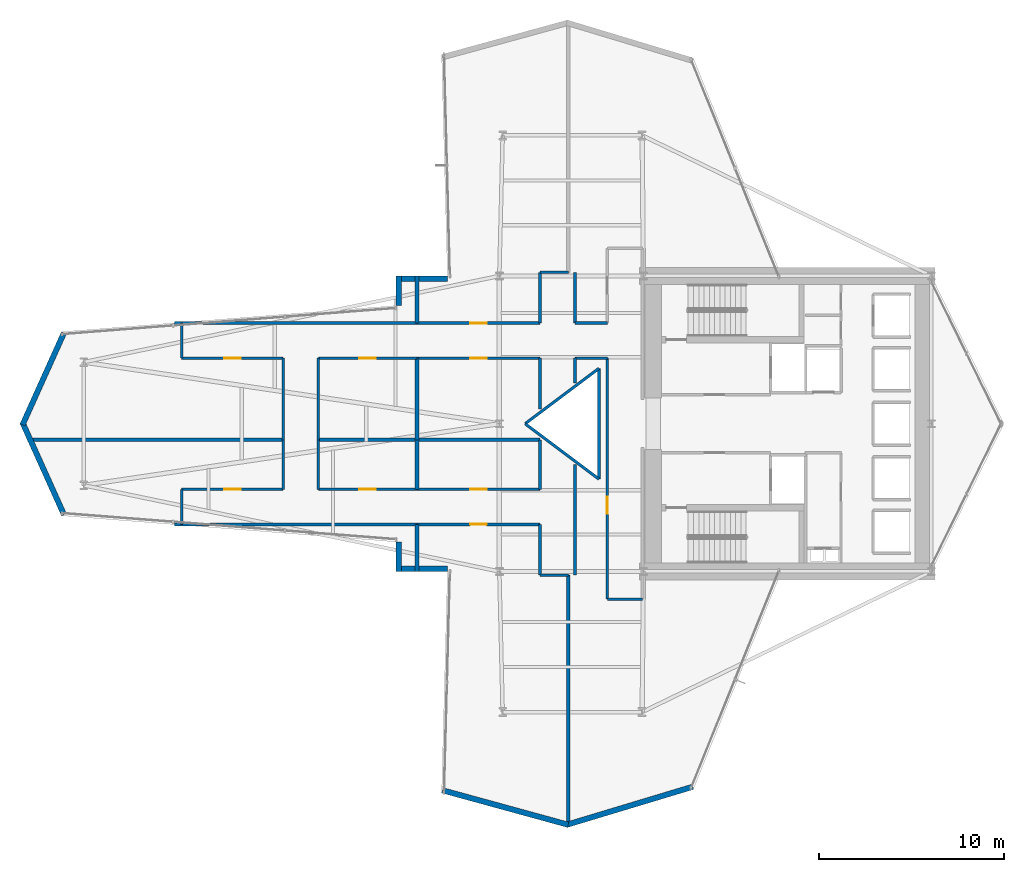
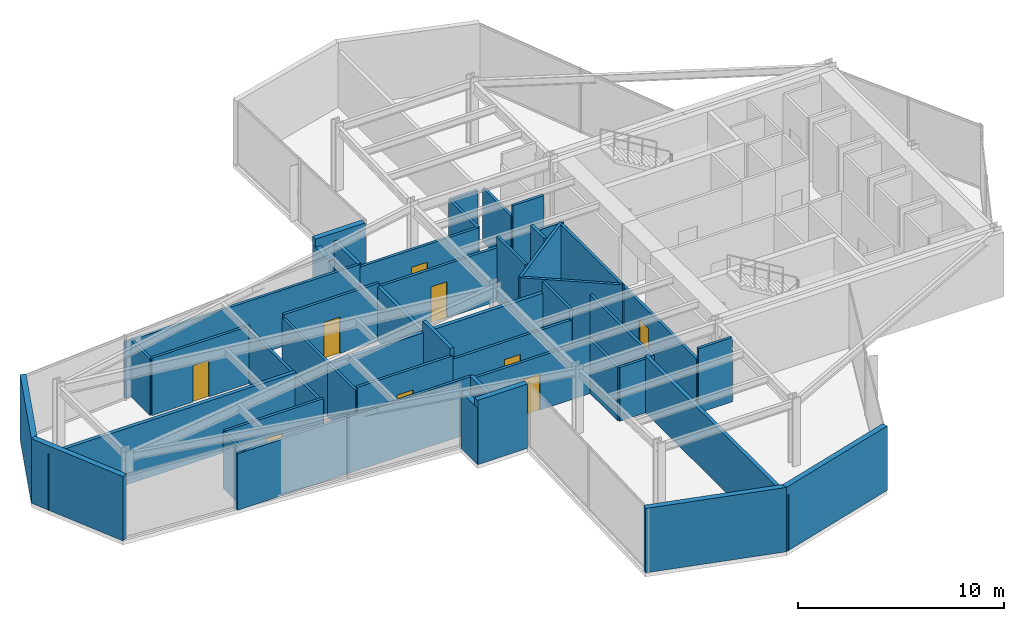
# One storey, part 26 of 29: 48 walls, 9 doors, 9 openings.
"""IFC4 building model written with IfcOpenShell, lengths in metres."""

import ifcopenshell
import ifcopenshell.guid

model = None  # the IFC model being written
_history = None  # IfcOwnerHistory: only IFC2X3 demands one
_inside = {}  # id of a spatial element -> (the spatial element, [elements in it])
_under = {}  # id of a project, library or spatial element -> (it, [spatial elements below it])
_declared = {}  # id of a project -> (the project, [libraries it declares])
_typed = {}  # id of a type object -> (the type object, [elements of that type])
_made_of = {}  # id of a material, layer set ... -> (it, [elements and type objects made of it])


def new_model(schema):
    """Start an empty IFC model of exactly this schema.

    Asked for "IFC4X3", IfcOpenShell would pick the latest addendum, in which some entities
    have other attributes; the version numbers below select the first issue.
    IFC2X3 requires an IfcOwnerHistory on every rooted entity: one is made here for all.
    """
    global model, _history
    if schema == "IFC4X3":
        model = ifcopenshell.file(schema_version=(4, 3, 0, 0))
    else:
        model = ifcopenshell.file(schema=schema)
    _inside.clear()
    _under.clear()
    _declared.clear()
    _typed.clear()
    _made_of.clear()
    _history = None
    if model.schema == "IFC2X3":
        org = make("IfcOrganization", Name="unknown")
        user = make(
            "IfcPersonAndOrganization",
            ThePerson=make("IfcPerson", FamilyName="unknown"),
            TheOrganization=org,
        )
        app = make(
            "IfcApplication",
            ApplicationDeveloper=org,
            Version="unknown",
            ApplicationFullName="unknown",
            ApplicationIdentifier="unknown",
        )
        _history = make(
            "IfcOwnerHistory",
            OwningUser=user,
            OwningApplication=app,
            ChangeAction="ADDED",
            CreationDate=0,
        )
    return model


def make(cls, **values):
    """One entity of the class cls with the attributes given. An attribute that is None is left unset."""
    return model.create_entity(
        cls, **{name: value for name, value in values.items() if value is not None}
    )


def rooted(cls, **values):
    """An entity with a GlobalId (a new one), such as an element, a storey or a relation."""
    return make(cls, GlobalId=ifcopenshell.guid.new(), OwnerHistory=_history, **values)


def si_unit(unit_type, name, prefix=None):
    """IfcSIUnit, for example si_unit("LENGTHUNIT", "METRE", prefix="MILLI")."""
    return make("IfcSIUnit", UnitType=unit_type, Prefix=prefix, Name=name)


def assignment(units):
    """IfcUnitAssignment: the units of a project."""
    return None if units is None else make("IfcUnitAssignment", Units=units)


def point(xyz):
    """IfcCartesianPoint."""
    return None if xyz is None else make("IfcCartesianPoint", Coordinates=xyz)


def direction(xyz):
    """IfcDirection."""
    return None if xyz is None else make("IfcDirection", DirectionRatios=xyz)


def frame(location, z_axis=None, x_axis=None):
    """IfcAxis2Placement3D, a coordinate frame: its origin and axes. An axis left out is left unset."""
    return make(
        "IfcAxis2Placement3D",
        Location=point(location),
        Axis=direction(z_axis),
        RefDirection=direction(x_axis),
    )


def frame_2d(location, x_axis=None):
    """IfcAxis2Placement2D, a coordinate frame in the plane: its origin and x axis."""
    return make(
        "IfcAxis2Placement2D", Location=point(location), RefDirection=direction(x_axis)
    )


def origin():
    """The frame at (0, 0, 0) with its axes left unset."""
    return frame((0.0, 0.0, 0.0))


def place(relative_to, where):
    """IfcLocalPlacement: puts the frame where relative to a parent placement (None: the world)."""
    return make(
        "IfcLocalPlacement", PlacementRelTo=relative_to, RelativePlacement=where
    )


def context(
    kind, dimensions, precision=None, world=None, true_north=None, identifier=None
):
    """IfcGeometricRepresentationContext, for example the 3D "Model" context."""
    return make(
        "IfcGeometricRepresentationContext",
        ContextIdentifier=identifier,
        ContextType=kind,
        CoordinateSpaceDimension=dimensions,
        Precision=precision,
        WorldCoordinateSystem=world,
        TrueNorth=true_north,
    )


def subcontext(parent, identifier, kind, view, scale=None):
    """IfcGeometricRepresentationSubContext, for example "Body" below "Model"."""
    return make(
        "IfcGeometricRepresentationSubContext",
        ContextIdentifier=identifier,
        ContextType=kind,
        ParentContext=parent,
        TargetScale=scale,
        TargetView=view,
    )


def project(units=None, contexts=None):
    """IfcProject with its units and contexts."""
    return rooted(
        "IfcProject",
        Name="project",
        RepresentationContexts=contexts,
        UnitsInContext=assignment(units),
    )


def spatial(cls, under=None, at=None, **own):
    """A site, building, storey or space (cls), placed at a placement, below another one or the project."""
    s = rooted(cls, ObjectPlacement=at, **own)
    if under is not None:
        _under.setdefault(under.id(), (under, []))[1].append(s)
    return s


def profile(cls, at=None, kind="AREA", **sizes):
    """A parametric profile (cls). Its sizes go by their IFC names, for example OverallWidth=200.0."""
    return make(cls, ProfileType=kind, Position=at, **sizes)


def rectangle(**sizes):
    """IfcRectangleProfileDef."""
    return profile("IfcRectangleProfileDef", **sizes)


def extrude(swept, where, along, depth):
    """IfcExtrudedAreaSolid: the profile swept, set in the frame where, extruded along a direction by depth."""
    return make(
        "IfcExtrudedAreaSolid",
        SweptArea=swept,
        Position=where,
        ExtrudedDirection=direction(along),
        Depth=depth,
    )


def shape(context_of_items, identifier, shape_type, items):
    """IfcShapeRepresentation: the items that make up one representation, for example the "Body"."""
    return make(
        "IfcShapeRepresentation",
        ContextOfItems=context_of_items,
        RepresentationIdentifier=identifier,
        RepresentationType=shape_type,
        Items=items,
    )


def material(Name=None, Category=None):
    """IfcMaterial."""
    return make("IfcMaterial", Name=Name, Category=Category)


def layer(
    of_material, thickness, ventilated=None, Name=None, Category=None, Priority=None
):
    """IfcMaterialLayer: one layer of a wall or slab, of a material (None: an air gap)."""
    return make(
        "IfcMaterialLayer",
        Material=of_material,
        LayerThickness=thickness,
        IsVentilated=ventilated,
        Name=Name,
        Category=Category,
        Priority=Priority,
    )


def layer_set(layers, Name=None):
    """IfcMaterialLayerSet."""
    return make("IfcMaterialLayerSet", MaterialLayers=layers, LayerSetName=Name)


def made_of(thing, what):
    """Note that an element or type object is made of a material, layer set ...; save() writes the relation."""
    if what is not None:
        _made_of.setdefault(what.id(), (what, []))[1].append(thing)
    return thing


def type_object(cls, material=None, **own):
    """A type object (cls), such as IfcWallType, which elements share."""
    return made_of(rooted(cls, **own), material)


def element(
    cls,
    number,
    at=None,
    inside=None,
    cuts=None,
    type_object=None,
    material=None,
    context=None,
    identifier="Body",
    shape_type=None,
    held_by="IfcProductDefinitionShape",
    body=None,
    shapes=None,
    **own,
):
    """One element of the class cls, such as IfcWall. Its Tag is "e" and its number.

    at: its placement. inside: the storey or other place that contains it. cuts: it is an
    opening in that element (IfcRelVoidsElement). A single representation is given by context,
    identifier, shape_type and body (its items); several are given by shapes. held_by: the class
    of the entity that holds the representations. save() writes the other relations.
    """
    e = rooted(cls, Tag="e%d" % number, ObjectPlacement=at, **own)
    if body is not None:
        shapes = [shape(context, identifier, shape_type, body)]
    if shapes is not None:
        e.Representation = make(held_by, Representations=shapes)
    if inside is not None:
        _inside.setdefault(inside.id(), (inside, []))[1].append(e)
    if cuts is not None:
        rooted(
            "IfcRelVoidsElement", RelatingBuildingElement=cuts, RelatedOpeningElement=e
        )
    if type_object is not None:
        _typed.setdefault(type_object.id(), (type_object, []))[1].append(e)
    return made_of(e, material)


def fill(opening, filler):
    """IfcRelFillsElement: the door or window that sits in an opening."""
    return rooted(
        "IfcRelFillsElement",
        RelatingOpeningElement=opening,
        RelatedBuildingElement=filler,
    )


def aggregate(whole, parts):
    """IfcRelAggregates: a whole, such as a stair, and the parts it consists of."""
    return rooted("IfcRelAggregates", RelatingObject=whole, RelatedObjects=parts)


def save(model, path):
    """Write the relations noted so far, then the file.

    IfcRelAggregates (storeys below a building ...), IfcRelContainedInSpatialStructure (elements
    in a storey), IfcRelDefinesByType, IfcRelAssociatesMaterial and IfcRelDeclares: one each for
    every whole, place, type object, material and project.
    """
    for whole, parts in _under.values():
        aggregate(whole, parts)
    for where, things in _inside.values():
        rooted(
            "IfcRelContainedInSpatialStructure",
            RelatedElements=things,
            RelatingStructure=where,
        )
    for kind, things in _typed.values():
        rooted("IfcRelDefinesByType", RelatedObjects=things, RelatingType=kind)
    for what, things in _made_of.values():
        rooted("IfcRelAssociatesMaterial", RelatedObjects=things, RelatingMaterial=what)
    for by, libraries in _declared.values():
        rooted("IfcRelDeclares", RelatingContext=by, RelatedDefinitions=libraries)
    model.write(path)


model = new_model("IFC4")

# Units and contexts
model_context = context("Model", 3, precision=1e-05, world=origin(), true_north=direction((0.0, 1.0)))
body_context = subcontext(model_context, "Body", "Model", "MODEL_VIEW")
ifc_project = project(units=[si_unit("LENGTHUNIT", "METRE"), si_unit("AREAUNIT", "SQUARE_METRE"), si_unit("VOLUMEUNIT", "CUBIC_METRE"), si_unit("PLANEANGLEUNIT", "RADIAN"), si_unit("MASSUNIT", "GRAM", prefix="KILO")], contexts=[model_context])

# Site, building, storey
site_placement = place(None, origin())
site = spatial("IfcSite", under=ifc_project, at=site_placement, CompositionType="ELEMENT")
building_placement = place(site_placement, origin())
building = spatial("IfcBuilding", under=site, at=building_placement, Name="Veymaron Broadcast Tower", CompositionType="ELEMENT")
storey_placement = place(building_placement, frame((0.0, 0.0, 62.10009765625)))
storey = spatial("IfcBuildingStorey", under=building, at=storey_placement, Name="L13", CompositionType="ELEMENT", Elevation=62.10009765625)

# Walls
ifc_material_1 = material(Name="Concrete C40/50", Category="concrete")
ifc_layer_1 = layer(ifc_material_1, 0.199951171875)
ifc_layer_set_1 = layer_set([ifc_layer_1], Name="Concrete C40/50")
wall_type_1 = type_object("IfcWallType", Name="WALL-BLK-200", PredefinedType="SOLIDWALL", material=ifc_layer_set_1)
wall_1_placement = place(storey_placement, frame((34.94091796875, 2.1640625, 0.0), z_axis=(0.0, 0.0, 1.0), x_axis=(0.0, 1.0, 0.0)))
element("IfcWall", 1, at=wall_1_placement, inside=storey, type_object=wall_type_1, Name="L13 partition IW-L13-P34", PredefinedType="SOLIDWALL", context=body_context, shape_type="SweptSolid", body=[
    extrude(rectangle(XDim=13.635986328125, YDim=0.199951171875, at=frame_2d((6.81787109375, 0.0))), origin(), (0.0, 0.0, 1.0), 3.337890625),
])
wall_2_placement = place(storey_placement, frame((26.738037109375, 16.0, 0.0), z_axis=(0.0, 0.0, 1.0), x_axis=(0.0, 1.0, 0.0)))
element("IfcWall", 2, at=wall_2_placement, inside=storey, type_object=wall_type_1, Name="L13 partition IW-L13-P35", PredefinedType="SOLIDWALL", context=body_context, shape_type="SweptSolid", body=[
    extrude(rectangle(XDim=2.550048828125, YDim=0.199951171875, at=frame_2d((1.27490234375, 0.0))), origin(), (0.0, 0.0, 1.0), 3.337890625),
])
wall_3_placement = place(storey_placement, frame((5.649658203125, 23.1259765625, 0.0), z_axis=(0.0, 0.0, 1.0), x_axis=(1.0, 0.0, 0.0)))
element("IfcWall", 3, at=wall_3_placement, inside=storey, type_object=wall_type_1, Name="L13 partition IW-L13-P36", PredefinedType="SOLIDWALL", context=body_context, shape_type="SweptSolid", body=[
    extrude(rectangle(XDim=13.850341796875, YDim=0.199951171875, at=frame_2d((6.92529296875, 0.0))), origin(), (0.0, 0.0, 1.0), 3.337890625),
])
wall_4_placement = place(storey_placement, frame((26.738037109375, 20.449951171875, 0.0), z_axis=(0.0, 0.0, 1.0), x_axis=(0.0, 1.0, 0.0)))
element("IfcWall", 4, at=wall_4_placement, inside=storey, type_object=wall_type_1, Name="L13 partition IW-L13-P37", PredefinedType="SOLIDWALL", context=body_context, shape_type="SweptSolid", body=[
    extrude(rectangle(XDim=2.676025390625, YDim=0.199951171875, at=frame_2d((1.337890625, 0.0))), origin(), (0.0, 0.0, 1.0), 3.809814453125),
])
wall_5_placement = place(storey_placement, frame((21.39990234375, 23.1259765625, 0.0), z_axis=(0.0, 0.0, 1.0), x_axis=(1.0, 0.0, 0.0)))
element("IfcWall", 5, at=wall_5_placement, inside=storey, type_object=wall_type_1, Name="L13 partition IW-L13-P38", PredefinedType="SOLIDWALL", context=body_context, shape_type="SweptSolid", body=[
    extrude(rectangle(XDim=5.338134765625, YDim=0.199951171875, at=frame_2d((2.6689453125, 0.0))), origin(), (0.0, 0.0, 1.0), 3.180908203125),
])
wall_6_placement = place(storey_placement, frame((26.738037109375, 23.1259765625, 0.0), z_axis=(0.0, 0.0, 1.0), x_axis=(1.0, 0.0, 0.0)))
element("IfcWall", 6, at=wall_6_placement, inside=storey, type_object=wall_type_1, Name="L13 partition IW-L13-P39", PredefinedType="SOLIDWALL", context=body_context, shape_type="SweptSolid", body=[
    extrude(rectangle(XDim=6.661865234375, YDim=0.199951171875, at=frame_2d((3.3310546875, 0.0))), origin(), (0.0, 0.0, 1.0), 3.180908203125),
])
wall_7_placement = place(storey_placement, frame((26.738037109375, 23.1259765625, 0.0), z_axis=(0.0, 0.0, 1.0), x_axis=(0.0, 1.0, 0.0)))
element("IfcWall", 7, at=wall_7_placement, inside=storey, type_object=wall_type_1, Name="L13 partition IW-L13-P40", PredefinedType="SOLIDWALL", context=body_context, shape_type="SweptSolid", body=[
    extrude(rectangle(XDim=4.424072265625, YDim=0.199951171875, at=frame_2d((2.2119140625, 0.0))), origin(), (0.0, 0.0, 1.0), 3.180908203125),
])
wall_8_placement = place(storey_placement, frame((26.738037109375, 29.449951171875, 0.0), z_axis=(0.0, 0.0, 1.0), x_axis=(0.0, 1.0, 0.0)))
element("IfcWall", 8, at=wall_8_placement, inside=storey, type_object=wall_type_1, Name="L13 partition IW-L13-P41", PredefinedType="SOLIDWALL", context=body_context, shape_type="SweptSolid", body=[
    extrude(rectangle(XDim=2.550048828125, YDim=0.199951171875, at=frame_2d((1.27490234375, 0.0))), origin(), (0.0, 0.0, 1.0), 3.337890625),
])
ifc_material_2 = material(Name="Precast concrete C40/50 with mineral-wool insulation", Category="concrete")
ifc_layer_2 = layer(ifc_material_2, 0.300048828125)
ifc_layer_set_2 = layer_set([ifc_layer_2], Name="Precast concrete C40/50 with mineral-wool insulation")
wall_type_2 = type_object("IfcWallType", Name="WALL-EXT-300", PredefinedType="STANDARD", material=ifc_layer_set_2)
wall_9_placement = place(storey_placement, frame((28.386962890625, 31.860107421875, 0.0), z_axis=(0.0, 0.0, 1.0), x_axis=(-1.0, 0.0, 0.0)))
element("IfcWall", 9, at=wall_9_placement, inside=storey, type_object=wall_type_2, Name="L13 notched corner facade pier 9-1", PredefinedType="STANDARD", context=body_context, shape_type="SweptSolid", body=[
    extrude(rectangle(XDim=2.779052734375, YDim=0.300048828125, at=frame_2d((1.3896484375, 0.0))), origin(), (0.0, 0.0, 1.0), 3.809814453125),
])
wall_10_placement = place(storey_placement, frame((25.748046875, 32.0, 0.0), z_axis=(0.0, 0.0, 1.0), x_axis=(0.0, -1.0, 0.0)))
element("IfcWall", 10, at=wall_10_placement, inside=storey, type_object=wall_type_2, Name="L13 notched corner facade pier 10-1", PredefinedType="STANDARD", context=body_context, shape_type="SweptSolid", body=[
    extrude(rectangle(XDim=1.599609375, YDim=0.300048828125, at=frame_2d((0.7998046875, 0.0))), origin(), (0.0, 0.0, 1.0), 3.337890625),
])
for number, where, z_axis, x_axis, name in (
    (11, (7.627685546875, 28.92578125, 0.0), (0.0, 0.0, 1.0), (-0.410572698698, -0.911827867025, 0.0), "L13 notched corner facade pier 12-1"),
    (12, (5.3837890625, 24.0576171875, 0.0), (0.0, 0.0, 1.0), (0.410572698698, -0.911827867025, 0.0), "L13 notched corner facade pier 13-1"),
):
    element("IfcWall", number, at=place(storey_placement, frame(where, z_axis=z_axis, x_axis=x_axis)), inside=storey, type_object=wall_type_2, Name=name, PredefinedType="STANDARD", context=body_context, shape_type="SweptSolid", body=[
        extrude(rectangle(XDim=5.46533203125, YDim=0.300048828125, at=frame_2d((2.732666015625, 0.0))), origin(), (0.0, 0.0, 1.0), 3.809814453125),
    ])
wall_11_placement = place(storey_placement, frame((25.748046875, 17.599609375, 0.0), z_axis=(0.0, 0.0, 1.0), x_axis=(0.0, -1.0, 0.0)))
element("IfcWall", 13, at=wall_11_placement, inside=storey, type_object=wall_type_2, Name="L13 notched corner facade pier 15-1", PredefinedType="STANDARD", context=body_context, shape_type="SweptSolid", body=[
    extrude(rectangle(XDim=1.599609375, YDim=0.300048828125, at=frame_2d((0.7998046875, 0.0))), origin(), (0.0, 0.0, 1.0), 3.337890625),
])
wall_12_placement = place(storey_placement, frame((25.60791015625, 16.139892578125, 0.0), z_axis=(0.0, 0.0, 1.0), x_axis=(1.0, 0.0, 0.0)))
element("IfcWall", 14, at=wall_12_placement, inside=storey, type_object=wall_type_2, Name="L13 notched corner facade pier 16-1", PredefinedType="STANDARD", context=body_context, shape_type="SweptSolid", body=[
    extrude(rectangle(XDim=2.779052734375, YDim=0.300048828125, at=frame_2d((1.3896484375, 0.0))), origin(), (0.0, 0.0, 1.0), 3.809814453125),
])
wall_13_placement = place(storey_placement, frame((28.10888671875, 4.154052734375, 0.0), z_axis=(0.0, 0.0, 1.0), x_axis=(0.96439075506, -0.264481514581, 0.0)))
element("IfcWall", 15, at=wall_13_placement, inside=storey, type_object=wall_type_2, Name="L13 notched corner facade pier 18-1", PredefinedType="STANDARD", context=body_context, shape_type="SweptSolid", body=[
    extrude(rectangle(XDim=7.07080078125, YDim=0.300048828125, at=frame_2d((3.535400390625, 0.0))), origin(), (0.0, 0.0, 1.0), 3.809814453125),
])
wall_14_placement = place(storey_placement, frame((34.8505859375, 2.282958984375, 0.0), z_axis=(0.0, 0.0, 1.0), x_axis=(0.957387451844, 0.288806625707, 0.0)))
element("IfcWall", 16, at=wall_14_placement, inside=storey, type_object=wall_type_2, Name="L13 notched corner facade pier 19-1", PredefinedType="STANDARD", context=body_context, shape_type="SweptSolid", body=[
    extrude(rectangle(XDim=7.122802734375, YDim=0.300048828125, at=frame_2d((3.5615234375, 0.0))), origin(), (0.0, 0.0, 1.0), 3.809814453125),
])

# Wall, opening, door
ifc_material_3 = material(Name="Gypsum fireboard and steel stud framing", Category="steel")
ifc_layer_3 = layer(ifc_material_3, 0.14990234375)
ifc_layer_set_3 = layer_set([ifc_layer_3], Name="Gypsum fireboard and steel stud framing")
wall_type_3 = type_object("IfcWallType", Name="WALL-FIRE-150", PredefinedType="PARTITIONING", material=ifc_layer_set_3)
wall_15_placement = place(storey_placement, frame((26.738037109375, 18.550048828125, 0.0), z_axis=(0.0, 0.0, 1.0), x_axis=(1.0, 0.0, 0.0)))
wall_15 = element("IfcWall", 17, at=wall_15_placement, inside=storey, type_object=wall_type_3, Name="L13 partition IW-L13-P01", PredefinedType="PARTITIONING", context=body_context, shape_type="SweptSolid", body=[
    extrude(rectangle(XDim=6.661865234375, YDim=0.14990234375, at=frame_2d((3.3310546875, 0.0))), origin(), (0.0, 0.0, 1.0), 3.180908203125),
])
opening_1_placement = place(wall_15_placement, frame((2.881103515625, 0.0, 0.0)))
opening_1 = element("IfcOpeningElement", 18, at=opening_1_placement, cuts=wall_15, Name="Opening ID-RM2", PredefinedType="OPENING", context=body_context, shape_type="SweptSolid", body=[
    extrude(rectangle(XDim=0.89990234375, YDim=2.14990234375, at=frame_2d((0.449951171875, 1.074951171875))), frame((0.0, 0.0849609375, 0.0), z_axis=(0.0, -1.0, 0.0), x_axis=(1.0, 0.0, 0.0)), (0.0, 0.0, 1.0), 0.169921875),
])
ifc_material_4 = material(Name="Acoustic solid-core European oak veneer timber", Category="wood")
door_type = type_object("IfcDoorType", Name="DOOR-INT-900", OperationType="NOTDEFINED", PredefinedType="DOOR", material=ifc_material_4)
door_1_placement = place(opening_1_placement, frame((0.89990234375, 0.0, 0.0), z_axis=(0.0, 0.0, 1.0), x_axis=(-1.0, 0.0, 0.0)))
door_1 = element("IfcDoor", 19, at=door_1_placement, inside=storey, type_object=door_type, Name="L13 door DR-L13-P01", OperationType="SINGLE_SWING_RIGHT", OverallHeight=2.14990234375, OverallWidth=0.89990234375, PredefinedType="DOOR", context=body_context, shape_type="SweptSolid", body=[
    extrude(rectangle(XDim=0.89990234375, YDim=2.14990234375, at=frame_2d((0.449951171875, 1.074951171875))), frame((0.0, 0.02490234375, 0.0), z_axis=(0.0, -1.0, 0.0), x_axis=(1.0, 0.0, 0.0)), (0.0, 0.0, 1.0), 0.050048828125),
])
fill(opening_1, door_1)

wall_16_placement = place(storey_placement, frame((37.050048828125, 14.5, 0.0), z_axis=(0.0, 0.0, 1.0), x_axis=(0.0, 1.0, 0.0)))
wall_16 = element("IfcWall", 20, at=wall_16_placement, inside=storey, type_object=wall_type_3, Name="L13 partition IW-L13-P04", PredefinedType="PARTITIONING", context=body_context, shape_type="SweptSolid", body=[
    extrude(rectangle(XDim=13.050048828125, YDim=0.14990234375, at=frame_2d((6.52490234375, 0.0))), origin(), (0.0, 0.0, 1.0), 3.180908203125),
])
opening_2_placement = place(wall_16_placement, frame((4.635009765625, 0.0, 0.0)))
opening_2 = element("IfcOpeningElement", 21, at=opening_2_placement, cuts=wall_16, Name="Opening ID-RM2", PredefinedType="OPENING", context=body_context, shape_type="SweptSolid", body=[
    extrude(rectangle(XDim=0.89990234375, YDim=2.14990234375, at=frame_2d((0.449951171875, 1.074951171875))), frame((0.0, 0.0849609375, 0.0), z_axis=(0.0, -1.0, 0.0), x_axis=(1.0, 0.0, 0.0)), (0.0, 0.0, 1.0), 0.169921875),
])
door_2_placement = place(opening_2_placement, frame((0.89990234375, 0.0, 0.0), z_axis=(0.0, 0.0, 1.0), x_axis=(-1.0, 0.0, 0.0)))
door_2 = element("IfcDoor", 22, at=door_2_placement, inside=storey, type_object=door_type, Name="L13 door DR-L13-P04", OperationType="SINGLE_SWING_LEFT", OverallHeight=2.14990234375, OverallWidth=0.89990234375, PredefinedType="DOOR", context=body_context, shape_type="SweptSolid", body=[
    extrude(rectangle(XDim=0.89990234375, YDim=2.14990234375, at=frame_2d((0.449951171875, 1.074951171875))), frame((0.0, 0.02490234375, 0.0), z_axis=(0.0, -1.0, 0.0), x_axis=(1.0, 0.0, 0.0)), (0.0, 0.0, 1.0), 0.050048828125),
])
fill(opening_2, door_2)

wall_17_placement = place(storey_placement, frame((14.0, 20.449951171875, 0.0), z_axis=(0.0, 0.0, 1.0), x_axis=(1.0, 0.0, 0.0)))
wall_17 = element("IfcWall", 23, at=wall_17_placement, inside=storey, type_object=wall_type_3, Name="L13 partition IW-L13-P11", PredefinedType="PARTITIONING", context=body_context, shape_type="SweptSolid", body=[
    extrude(rectangle(XDim=5.5, YDim=0.14990234375, at=frame_2d((2.75, 0.0))), origin(), (0.0, 0.0, 1.0), 3.390869140625),
])
opening_3_placement = place(wall_17_placement, frame((2.300048828125, 0.0, 0.0)))
opening_3 = element("IfcOpeningElement", 24, at=opening_3_placement, cuts=wall_17, Name="Opening ID-RM2", PredefinedType="OPENING", context=body_context, shape_type="SweptSolid", body=[
    extrude(rectangle(XDim=0.89990234375, YDim=2.14990234375, at=frame_2d((0.449951171875, 1.074951171875))), frame((0.0, 0.0849609375, 0.0), z_axis=(0.0, -1.0, 0.0), x_axis=(1.0, 0.0, 0.0)), (0.0, 0.0, 1.0), 0.169921875),
])
door_3_placement = place(opening_3_placement, origin())
door_3 = element("IfcDoor", 25, at=door_3_placement, inside=storey, type_object=door_type, Name="L13 door DR-L13-P11", OperationType="SINGLE_SWING_RIGHT", OverallHeight=2.14990234375, OverallWidth=0.89990234375, PredefinedType="DOOR", context=body_context, shape_type="SweptSolid", body=[
    extrude(rectangle(XDim=0.89990234375, YDim=2.14990234375, at=frame_2d((0.449951171875, 1.074951171875))), frame((0.0, 0.02490234375, 0.0), z_axis=(0.0, -1.0, 0.0), x_axis=(1.0, 0.0, 0.0)), (0.0, 0.0, 1.0), 0.050048828125),
])
fill(opening_3, door_3)

wall_18_placement = place(storey_placement, frame((21.39990234375, 20.449951171875, 0.0), z_axis=(0.0, 0.0, 1.0), x_axis=(1.0, 0.0, 0.0)))
wall_18 = element("IfcWall", 26, at=wall_18_placement, inside=storey, type_object=wall_type_3, Name="L13 partition IW-L13-P14", PredefinedType="PARTITIONING", context=body_context, shape_type="SweptSolid", body=[
    extrude(rectangle(XDim=5.338134765625, YDim=0.14990234375, at=frame_2d((2.6689453125, 0.0))), origin(), (0.0, 0.0, 1.0), 3.390869140625),
])
opening_4_placement = place(wall_18_placement, frame((2.218994140625, 0.0, 0.0)))
opening_4 = element("IfcOpeningElement", 27, at=opening_4_placement, cuts=wall_18, Name="Opening ID-RM2", PredefinedType="OPENING", context=body_context, shape_type="SweptSolid", body=[
    extrude(rectangle(XDim=0.89990234375, YDim=2.14990234375, at=frame_2d((0.449951171875, 1.074951171875))), frame((0.0, 0.0849609375, 0.0), z_axis=(0.0, -1.0, 0.0), x_axis=(1.0, 0.0, 0.0)), (0.0, 0.0, 1.0), 0.169921875),
])
door_4_placement = place(opening_4_placement, origin())
door_4 = element("IfcDoor", 28, at=door_4_placement, inside=storey, type_object=door_type, Name="L13 door DR-L13-P14", OperationType="SINGLE_SWING_LEFT", OverallHeight=2.14990234375, OverallWidth=0.89990234375, PredefinedType="DOOR", context=body_context, shape_type="SweptSolid", body=[
    extrude(rectangle(XDim=0.89990234375, YDim=2.14990234375, at=frame_2d((0.449951171875, 1.074951171875))), frame((0.0, 0.02490234375, 0.0), z_axis=(0.0, -1.0, 0.0), x_axis=(1.0, 0.0, 0.0)), (0.0, 0.0, 1.0), 0.050048828125),
])
fill(opening_4, door_4)

wall_19_placement = place(storey_placement, frame((26.738037109375, 20.449951171875, 0.0), z_axis=(0.0, 0.0, 1.0), x_axis=(1.0, 0.0, 0.0)))
wall_19 = element("IfcWall", 29, at=wall_19_placement, inside=storey, type_object=wall_type_3, Name="L13 partition IW-L13-P16", PredefinedType="PARTITIONING", context=body_context, shape_type="SweptSolid", body=[
    extrude(rectangle(XDim=6.661865234375, YDim=0.14990234375, at=frame_2d((3.3310546875, 0.0))), origin(), (0.0, 0.0, 1.0), 3.180908203125),
])
opening_5_placement = place(wall_19_placement, frame((2.881103515625, 0.0, 0.0)))
opening_5 = element("IfcOpeningElement", 30, at=opening_5_placement, cuts=wall_19, Name="Opening ID-RM2", PredefinedType="OPENING", context=body_context, shape_type="SweptSolid", body=[
    extrude(rectangle(XDim=0.89990234375, YDim=2.14990234375, at=frame_2d((0.449951171875, 1.074951171875))), frame((0.0, 0.0849609375, 0.0), z_axis=(0.0, -1.0, 0.0), x_axis=(1.0, 0.0, 0.0)), (0.0, 0.0, 1.0), 0.169921875),
])
door_5_placement = place(opening_5_placement, origin())
door_5 = element("IfcDoor", 31, at=door_5_placement, inside=storey, type_object=door_type, Name="L13 door DR-L13-P16", OperationType="SINGLE_SWING_LEFT", OverallHeight=2.14990234375, OverallWidth=0.89990234375, PredefinedType="DOOR", context=body_context, shape_type="SweptSolid", body=[
    extrude(rectangle(XDim=0.89990234375, YDim=2.14990234375, at=frame_2d((0.449951171875, 1.074951171875))), frame((0.0, 0.02490234375, 0.0), z_axis=(0.0, -1.0, 0.0), x_axis=(1.0, 0.0, 0.0)), (0.0, 0.0, 1.0), 0.050048828125),
])
fill(opening_5, door_5)

wall_20_placement = place(storey_placement, frame((21.39990234375, 27.550048828125, 0.0), z_axis=(0.0, 0.0, 1.0), x_axis=(1.0, 0.0, 0.0)))
wall_20 = element("IfcWall", 32, at=wall_20_placement, inside=storey, type_object=wall_type_3, Name="L13 partition IW-L13-P18", PredefinedType="PARTITIONING", context=body_context, shape_type="SweptSolid", body=[
    extrude(rectangle(XDim=5.338134765625, YDim=0.14990234375, at=frame_2d((2.6689453125, 0.0))), origin(), (0.0, 0.0, 1.0), 3.390869140625),
])
opening_6_placement = place(wall_20_placement, frame((2.218994140625, 0.0, 0.0)))
opening_6 = element("IfcOpeningElement", 33, at=opening_6_placement, cuts=wall_20, Name="Opening ID-RM2", PredefinedType="OPENING", context=body_context, shape_type="SweptSolid", body=[
    extrude(rectangle(XDim=0.89990234375, YDim=2.14990234375, at=frame_2d((0.449951171875, 1.074951171875))), frame((0.0, 0.0849609375, 0.0), z_axis=(0.0, -1.0, 0.0), x_axis=(1.0, 0.0, 0.0)), (0.0, 0.0, 1.0), 0.169921875),
])
door_6_placement = place(opening_6_placement, frame((0.89990234375, 0.0, 0.0), z_axis=(0.0, 0.0, 1.0), x_axis=(-1.0, 0.0, 0.0)))
door_6 = element("IfcDoor", 34, at=door_6_placement, inside=storey, type_object=door_type, Name="L13 door DR-L13-P18", OperationType="SINGLE_SWING_LEFT", OverallHeight=2.14990234375, OverallWidth=0.89990234375, PredefinedType="DOOR", context=body_context, shape_type="SweptSolid", body=[
    extrude(rectangle(XDim=0.89990234375, YDim=2.14990234375, at=frame_2d((0.449951171875, 1.074951171875))), frame((0.0, 0.02490234375, 0.0), z_axis=(0.0, -1.0, 0.0), x_axis=(1.0, 0.0, 0.0)), (0.0, 0.0, 1.0), 0.050048828125),
])
fill(opening_6, door_6)

wall_21_placement = place(storey_placement, frame((26.738037109375, 27.550048828125, 0.0), z_axis=(0.0, 0.0, 1.0), x_axis=(1.0, 0.0, 0.0)))
wall_21 = element("IfcWall", 35, at=wall_21_placement, inside=storey, type_object=wall_type_3, Name="L13 partition IW-L13-P20", PredefinedType="PARTITIONING", context=body_context, shape_type="SweptSolid", body=[
    extrude(rectangle(XDim=6.661865234375, YDim=0.14990234375, at=frame_2d((3.3310546875, 0.0))), origin(), (0.0, 0.0, 1.0), 3.180908203125),
])
opening_7_placement = place(wall_21_placement, frame((2.881103515625, 0.0, 0.0)))
opening_7 = element("IfcOpeningElement", 36, at=opening_7_placement, cuts=wall_21, Name="Opening ID-RM2", PredefinedType="OPENING", context=body_context, shape_type="SweptSolid", body=[
    extrude(rectangle(XDim=0.89990234375, YDim=2.14990234375, at=frame_2d((0.449951171875, 1.074951171875))), frame((0.0, 0.0849609375, 0.0), z_axis=(0.0, -1.0, 0.0), x_axis=(1.0, 0.0, 0.0)), (0.0, 0.0, 1.0), 0.169921875),
])
door_7_placement = place(opening_7_placement, frame((0.89990234375, 0.0, 0.0), z_axis=(0.0, 0.0, 1.0), x_axis=(-1.0, 0.0, 0.0)))
door_7 = element("IfcDoor", 37, at=door_7_placement, inside=storey, type_object=door_type, Name="L13 door DR-L13-P20", OperationType="SINGLE_SWING_LEFT", OverallHeight=2.14990234375, OverallWidth=0.89990234375, PredefinedType="DOOR", context=body_context, shape_type="SweptSolid", body=[
    extrude(rectangle(XDim=0.89990234375, YDim=2.14990234375, at=frame_2d((0.449951171875, 1.074951171875))), frame((0.0, 0.02490234375, 0.0), z_axis=(0.0, -1.0, 0.0), x_axis=(1.0, 0.0, 0.0)), (0.0, 0.0, 1.0), 0.050048828125),
])
fill(opening_7, door_7)

wall_22_placement = place(storey_placement, frame((14.0, 27.550048828125, 0.0), z_axis=(0.0, 0.0, 1.0), x_axis=(1.0, 0.0, 0.0)))
wall_22 = element("IfcWall", 38, at=wall_22_placement, inside=storey, type_object=wall_type_3, Name="L13 partition IW-L13-P23", PredefinedType="PARTITIONING", context=body_context, shape_type="SweptSolid", body=[
    extrude(rectangle(XDim=5.5, YDim=0.14990234375, at=frame_2d((2.75, 0.0))), origin(), (0.0, 0.0, 1.0), 3.390869140625),
])
opening_8_placement = place(wall_22_placement, frame((2.300048828125, 0.0, 0.0)))
opening_8 = element("IfcOpeningElement", 39, at=opening_8_placement, cuts=wall_22, Name="Opening ID-RM2", PredefinedType="OPENING", context=body_context, shape_type="SweptSolid", body=[
    extrude(rectangle(XDim=0.89990234375, YDim=2.14990234375, at=frame_2d((0.449951171875, 1.074951171875))), frame((0.0, 0.0849609375, 0.0), z_axis=(0.0, -1.0, 0.0), x_axis=(1.0, 0.0, 0.0)), (0.0, 0.0, 1.0), 0.169921875),
])
door_8_placement = place(opening_8_placement, frame((0.89990234375, 0.0, 0.0), z_axis=(0.0, 0.0, 1.0), x_axis=(-1.0, 0.0, 0.0)))
door_8 = element("IfcDoor", 40, at=door_8_placement, inside=storey, type_object=door_type, Name="L13 door DR-L13-P23", OperationType="SINGLE_SWING_RIGHT", OverallHeight=2.14990234375, OverallWidth=0.89990234375, PredefinedType="DOOR", context=body_context, shape_type="SweptSolid", body=[
    extrude(rectangle(XDim=0.89990234375, YDim=2.14990234375, at=frame_2d((0.449951171875, 1.074951171875))), frame((0.0, 0.02490234375, 0.0), z_axis=(0.0, -1.0, 0.0), x_axis=(1.0, 0.0, 0.0)), (0.0, 0.0, 1.0), 0.050048828125),
])
fill(opening_8, door_8)

wall_23_placement = place(storey_placement, frame((26.738037109375, 29.449951171875, 0.0), z_axis=(0.0, 0.0, 1.0), x_axis=(1.0, 0.0, 0.0)))
wall_23 = element("IfcWall", 41, at=wall_23_placement, inside=storey, type_object=wall_type_3, Name="L13 partition IW-L13-P26", PredefinedType="PARTITIONING", context=body_context, shape_type="SweptSolid", body=[
    extrude(rectangle(XDim=6.661865234375, YDim=0.14990234375, at=frame_2d((3.3310546875, 0.0))), origin(), (0.0, 0.0, 1.0), 3.180908203125),
])
opening_9_placement = place(wall_23_placement, frame((2.881103515625, 0.0, 0.0)))
opening_9 = element("IfcOpeningElement", 42, at=opening_9_placement, cuts=wall_23, Name="Opening ID-RM2", PredefinedType="OPENING", context=body_context, shape_type="SweptSolid", body=[
    extrude(rectangle(XDim=0.89990234375, YDim=2.14990234375, at=frame_2d((0.449951171875, 1.074951171875))), frame((0.0, 0.0849609375, 0.0), z_axis=(0.0, -1.0, 0.0), x_axis=(1.0, 0.0, 0.0)), (0.0, 0.0, 1.0), 0.169921875),
])
door_9_placement = place(opening_9_placement, origin())
door_9 = element("IfcDoor", 43, at=door_9_placement, inside=storey, type_object=door_type, Name="L13 door DR-L13-P26", OperationType="SINGLE_SWING_LEFT", OverallHeight=2.14990234375, OverallWidth=0.89990234375, PredefinedType="DOOR", context=body_context, shape_type="SweptSolid", body=[
    extrude(rectangle(XDim=0.89990234375, YDim=2.14990234375, at=frame_2d((0.449951171875, 1.074951171875))), frame((0.0, 0.02490234375, 0.0), z_axis=(0.0, -1.0, 0.0), x_axis=(1.0, 0.0, 0.0)), (0.0, 0.0, 1.0), 0.050048828125),
])
fill(opening_9, door_9)

# Walls
wall_24_placement = place(storey_placement, frame((33.39990234375, 15.800048828125, 0.0), z_axis=(0.0, 0.0, 1.0), x_axis=(0.0, 1.0, 0.0)))
element("IfcWall", 44, at=wall_24_placement, inside=storey, type_object=wall_type_3, Name="L13 partition IW-L13-P02", PredefinedType="PARTITIONING", context=body_context, shape_type="SweptSolid", body=[
    extrude(rectangle(XDim=2.75, YDim=0.14990234375, at=frame_2d((1.375, 0.0))), origin(), (0.0, 0.0, 1.0), 3.180908203125),
])
wall_25_placement = place(storey_placement, frame((33.39990234375, 15.800048828125, 0.0), z_axis=(0.0, 0.0, 1.0), x_axis=(1.0, 0.0, 0.0)))
element("IfcWall", 45, at=wall_25_placement, inside=storey, type_object=wall_type_3, Name="L13 partition IW-L13-P03", PredefinedType="PARTITIONING", context=body_context, shape_type="SweptSolid", body=[
    extrude(rectangle(XDim=1.541015625, YDim=0.14990234375, at=frame_2d((0.7705078125, 0.0))), origin(), (0.0, 0.0, 1.0), 3.180908203125),
])
wall_26_placement = place(storey_placement, frame((35.300048828125, 15.800048828125, 0.0), z_axis=(0.0, 0.0, 1.0), x_axis=(0.0, 1.0, 0.0)))
element("IfcWall", 46, at=wall_26_placement, inside=storey, type_object=wall_type_3, Name="L13 partition IW-L13-P06", PredefinedType="PARTITIONING", context=body_context, shape_type="SweptSolid", body=[
    extrude(rectangle(XDim=5.987548828125, YDim=0.14990234375, at=frame_2d((2.99365234375, 0.0))), origin(), (0.0, 0.0, 1.0), 3.180908203125),
])
wall_27_placement = place(storey_placement, frame((37.050048828125, 14.5, 0.0), z_axis=(0.0, 0.0, 1.0), x_axis=(1.0, 0.0, 0.0)))
element("IfcWall", 47, at=wall_27_placement, inside=storey, type_object=wall_type_3, Name="L13 partition IW-L13-P07", PredefinedType="PARTITIONING", context=body_context, shape_type="SweptSolid", body=[
    extrude(rectangle(XDim=1.89990234375, YDim=0.14990234375, at=frame_2d((0.949951171875, 0.0))), origin(), (0.0, 0.0, 1.0), 3.809814453125),
])
wall_28_placement = place(storey_placement, frame((35.300048828125, 27.550048828125, 0.0), z_axis=(0.0, 0.0, 1.0), x_axis=(1.0, 0.0, 0.0)))
element("IfcWall", 48, at=wall_28_placement, inside=storey, type_object=wall_type_3, Name="L13 partition IW-L13-P08", PredefinedType="PARTITIONING", context=body_context, shape_type="SweptSolid", body=[
    extrude(rectangle(XDim=1.75, YDim=0.14990234375, at=frame_2d((0.875, 0.0))), origin(), (0.0, 0.0, 1.0), 3.390869140625),
])
wall_29_placement = place(storey_placement, frame((35.300048828125, 26.21240234375, 0.0), z_axis=(0.0, 0.0, 1.0), x_axis=(0.0, 1.0, 0.0)))
element("IfcWall", 49, at=wall_29_placement, inside=storey, type_object=wall_type_3, Name="L13 partition IW-L13-P09", PredefinedType="PARTITIONING", context=body_context, shape_type="SweptSolid", body=[
    extrude(rectangle(XDim=1.337646484375, YDim=0.14990234375, at=frame_2d((0.6689453125, 0.0))), origin(), (0.0, 0.0, 1.0), 3.809814453125),
])
wall_30_placement = place(storey_placement, frame((13.603515625, 18.550048828125, 0.0), z_axis=(0.0, 0.0, 1.0), x_axis=(1.0, 0.0, 0.0)))
element("IfcWall", 50, at=wall_30_placement, inside=storey, type_object=wall_type_3, Name="L13 partition IW-L13-P10", PredefinedType="PARTITIONING", context=body_context, shape_type="SweptSolid", body=[
    extrude(rectangle(XDim=13.134521484375, YDim=0.14990234375, at=frame_2d((6.5673828125, 0.0))), origin(), (0.0, 0.0, 1.0), 3.337890625),
])
wall_31_placement = place(storey_placement, frame((19.5, 20.449951171875, 0.0), z_axis=(0.0, 0.0, 1.0), x_axis=(0.0, 1.0, 0.0)))
element("IfcWall", 51, at=wall_31_placement, inside=storey, type_object=wall_type_3, Name="L13 partition IW-L13-P12", PredefinedType="PARTITIONING", context=body_context, shape_type="SweptSolid", body=[
    extrude(rectangle(XDim=2.676025390625, YDim=0.14990234375, at=frame_2d((1.337890625, 0.0))), origin(), (0.0, 0.0, 1.0), 3.180908203125),
])
wall_32_placement = place(storey_placement, frame((14.0, 18.550048828125, 0.0), z_axis=(0.0, 0.0, 1.0), x_axis=(0.0, 1.0, 0.0)))
element("IfcWall", 52, at=wall_32_placement, inside=storey, type_object=wall_type_3, Name="L13 partition IW-L13-P13", PredefinedType="PARTITIONING", context=body_context, shape_type="SweptSolid", body=[
    extrude(rectangle(XDim=1.89990234375, YDim=0.14990234375, at=frame_2d((0.949951171875, 0.0))), origin(), (0.0, 0.0, 1.0), 3.337890625),
])
wall_33_placement = place(storey_placement, frame((21.39990234375, 20.449951171875, 0.0), z_axis=(0.0, 0.0, 1.0), x_axis=(0.0, 1.0, 0.0)))
element("IfcWall", 53, at=wall_33_placement, inside=storey, type_object=wall_type_3, Name="L13 partition IW-L13-P15", PredefinedType="PARTITIONING", context=body_context, shape_type="SweptSolid", body=[
    extrude(rectangle(XDim=2.676025390625, YDim=0.14990234375, at=frame_2d((1.337890625, 0.0))), origin(), (0.0, 0.0, 1.0), 3.180908203125),
])
wall_34_placement = place(storey_placement, frame((33.39990234375, 20.449951171875, 0.0), z_axis=(0.0, 0.0, 1.0), x_axis=(0.0, 1.0, 0.0)))
element("IfcWall", 54, at=wall_34_placement, inside=storey, type_object=wall_type_3, Name="L13 partition IW-L13-P17", PredefinedType="PARTITIONING", context=body_context, shape_type="SweptSolid", body=[
    extrude(rectangle(XDim=2.676025390625, YDim=0.14990234375, at=frame_2d((1.337890625, 0.0))), origin(), (0.0, 0.0, 1.0), 3.809814453125),
])
wall_35_placement = place(storey_placement, frame((21.39990234375, 23.1259765625, 0.0), z_axis=(0.0, 0.0, 1.0), x_axis=(0.0, 1.0, 0.0)))
element("IfcWall", 55, at=wall_35_placement, inside=storey, type_object=wall_type_3, Name="L13 partition IW-L13-P19", PredefinedType="PARTITIONING", context=body_context, shape_type="SweptSolid", body=[
    extrude(rectangle(XDim=4.424072265625, YDim=0.14990234375, at=frame_2d((2.2119140625, 0.0))), origin(), (0.0, 0.0, 1.0), 3.180908203125),
])
wall_36_placement = place(storey_placement, frame((33.39990234375, 24.78759765625, 0.0), z_axis=(0.0, 0.0, 1.0), x_axis=(0.0, 1.0, 0.0)))
element("IfcWall", 56, at=wall_36_placement, inside=storey, type_object=wall_type_3, Name="L13 partition IW-L13-P21", PredefinedType="PARTITIONING", context=body_context, shape_type="SweptSolid", body=[
    extrude(rectangle(XDim=2.762451171875, YDim=0.14990234375, at=frame_2d((1.38134765625, 0.0))), origin(), (0.0, 0.0, 1.0), 3.809814453125),
])
wall_37_placement = place(storey_placement, frame((13.603515625, 29.449951171875, 0.0), z_axis=(0.0, 0.0, 1.0), x_axis=(1.0, 0.0, 0.0)))
element("IfcWall", 57, at=wall_37_placement, inside=storey, type_object=wall_type_3, Name="L13 partition IW-L13-P22", PredefinedType="PARTITIONING", context=body_context, shape_type="SweptSolid", body=[
    extrude(rectangle(XDim=13.134521484375, YDim=0.14990234375, at=frame_2d((6.5673828125, 0.0))), origin(), (0.0, 0.0, 1.0), 3.337890625),
])
wall_38_placement = place(storey_placement, frame((19.5, 23.1259765625, 0.0), z_axis=(0.0, 0.0, 1.0), x_axis=(0.0, 1.0, 0.0)))
element("IfcWall", 58, at=wall_38_placement, inside=storey, type_object=wall_type_3, Name="L13 partition IW-L13-P24", PredefinedType="PARTITIONING", context=body_context, shape_type="SweptSolid", body=[
    extrude(rectangle(XDim=4.424072265625, YDim=0.14990234375, at=frame_2d((2.2119140625, 0.0))), origin(), (0.0, 0.0, 1.0), 3.180908203125),
])
wall_39_placement = place(storey_placement, frame((14.0, 27.550048828125, 0.0), z_axis=(0.0, 0.0, 1.0), x_axis=(0.0, 1.0, 0.0)))
element("IfcWall", 59, at=wall_39_placement, inside=storey, type_object=wall_type_3, Name="L13 partition IW-L13-P25", PredefinedType="PARTITIONING", context=body_context, shape_type="SweptSolid", body=[
    extrude(rectangle(XDim=1.89990234375, YDim=0.14990234375, at=frame_2d((0.949951171875, 0.0))), origin(), (0.0, 0.0, 1.0), 3.337890625),
])
wall_40_placement = place(storey_placement, frame((33.39990234375, 29.449951171875, 0.0), z_axis=(0.0, 0.0, 1.0), x_axis=(0.0, 1.0, 0.0)))
element("IfcWall", 60, at=wall_40_placement, inside=storey, type_object=wall_type_3, Name="L13 partition IW-L13-P27", PredefinedType="PARTITIONING", context=body_context, shape_type="SweptSolid", body=[
    extrude(rectangle(XDim=2.75, YDim=0.14990234375, at=frame_2d((1.375, 0.0))), origin(), (0.0, 0.0, 1.0), 3.180908203125),
])
wall_41_placement = place(storey_placement, frame((33.39990234375, 32.199951171875, 0.0), z_axis=(0.0, 0.0, 1.0), x_axis=(1.0, 0.0, 0.0)))
element("IfcWall", 61, at=wall_41_placement, inside=storey, type_object=wall_type_3, Name="L13 partition IW-L13-P28", PredefinedType="PARTITIONING", context=body_context, shape_type="SweptSolid", body=[
    extrude(rectangle(XDim=1.541015625, YDim=0.14990234375, at=frame_2d((0.7705078125, 0.0))), origin(), (0.0, 0.0, 1.0), 3.180908203125),
])
wall_42_placement = place(storey_placement, frame((35.300048828125, 29.449951171875, 0.0), z_axis=(0.0, 0.0, 1.0), x_axis=(0.0, 1.0, 0.0)))
element("IfcWall", 62, at=wall_42_placement, inside=storey, type_object=wall_type_3, Name="L13 partition IW-L13-P31", PredefinedType="PARTITIONING", context=body_context, shape_type="SweptSolid", body=[
    extrude(rectangle(XDim=2.75, YDim=0.14990234375, at=frame_2d((1.375, 0.0))), origin(), (0.0, 0.0, 1.0), 3.180908203125),
])
wall_43_placement = place(storey_placement, frame((35.300048828125, 29.449951171875, 0.0), z_axis=(0.0, 0.0, 1.0), x_axis=(1.0, 0.0, 0.0)))
element("IfcWall", 63, at=wall_43_placement, inside=storey, type_object=wall_type_3, Name="L13 partition IW-L13-P33", PredefinedType="PARTITIONING", context=body_context, shape_type="SweptSolid", body=[
    extrude(rectangle(XDim=1.75, YDim=0.14990234375, at=frame_2d((0.875, 0.0))), origin(), (0.0, 0.0, 1.0), 3.809814453125),
])
ifc_material_5 = material(Name="Fire-rated laminated glass in aluminium frame", Category="aluminium")
ifc_layer_4 = layer(ifc_material_5, 0.14990234375)
ifc_layer_set_4 = layer_set([ifc_layer_4], Name="Fire-rated laminated glass in aluminium frame")
wall_type_4 = type_object("IfcWallType", Name="WALL-GLZ-150", PredefinedType="MOVABLE", material=ifc_layer_set_4)
wall_44_placement = place(storey_placement, frame((32.60009765625, 24.0, 0.0), z_axis=(0.0, 0.0, 1.0), x_axis=(0.8, -0.6, 0.0)))
element("IfcWall", 64, at=wall_44_placement, inside=storey, type_object=wall_type_4, Name="L13 partition IW-L13-ATR1", PredefinedType="MOVABLE", context=body_context, shape_type="SweptSolid", body=[
    extrude(rectangle(XDim=5.0, YDim=0.14990234375, at=frame_2d((2.5, 0.0))), origin(), (0.0, 0.0, 1.0), 3.809814453125),
])
wall_45_placement = place(storey_placement, frame((36.60009765625, 21.0, 0.0), z_axis=(0.0, 0.0, 1.0), x_axis=(0.0, 1.0, 0.0)))
element("IfcWall", 65, at=wall_45_placement, inside=storey, type_object=wall_type_4, Name="L13 partition IW-L13-ATR2", PredefinedType="MOVABLE", context=body_context, shape_type="SweptSolid", body=[
    extrude(rectangle(XDim=6.0, YDim=0.14990234375, at=frame_2d((3.0, 0.0))), origin(), (0.0, 0.0, 1.0), 3.809814453125),
])
wall_46_placement = place(storey_placement, frame((36.60009765625, 27.0, 0.0), z_axis=(0.0, 0.0, 1.0), x_axis=(-0.8, -0.6, 0.0)))
element("IfcWall", 66, at=wall_46_placement, inside=storey, type_object=wall_type_4, Name="L13 partition IW-L13-ATR3", PredefinedType="MOVABLE", context=body_context, shape_type="SweptSolid", body=[
    extrude(rectangle(XDim=5.0, YDim=0.14990234375, at=frame_2d((2.5, 0.0))), origin(), (0.0, 0.0, 1.0), 3.809814453125),
])

save(model, "model.ifc")
